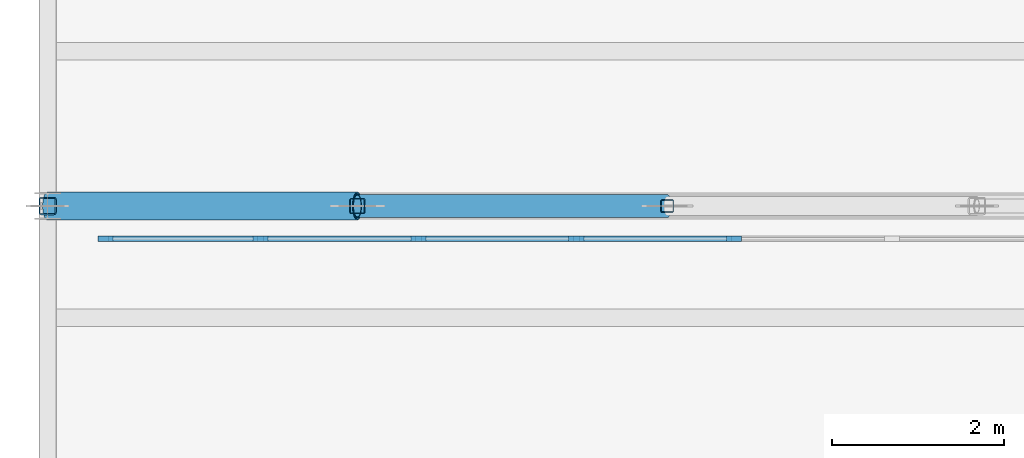
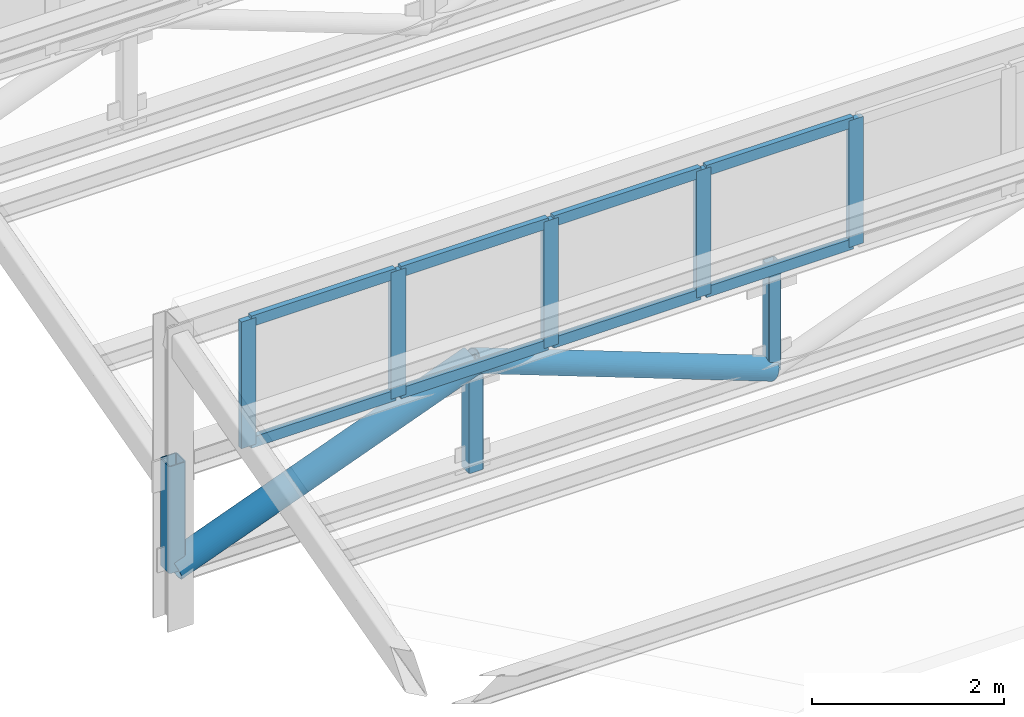
# One storey, part 7 of 98: 18 members, 1 element without a shape of its own.
"""IFC4 building model written with IfcOpenShell, lengths in metres."""

from ifc_helpers import new_model, si_unit, direction, frame, origin, origin_2d, place, context, subcontext, project, spatial, rectangle, hollow_rectangle, hollow_circle, extrude, material, layer, layer_set, material_profile, profile_set, type_object, element, aggregate, save


model = new_model("IFC4")

# Units and contexts
model_context = context("Model", 3, precision=1e-05, world=origin(), true_north=direction((0.0, 1.0)))
body_context = subcontext(model_context, "Body", "Model", "MODEL_VIEW")
ifc_project = project(units=[si_unit("LENGTHUNIT", "METRE"), si_unit("AREAUNIT", "SQUARE_METRE"), si_unit("VOLUMEUNIT", "CUBIC_METRE"), si_unit("PLANEANGLEUNIT", "RADIAN"), si_unit("MASSUNIT", "GRAM", prefix="KILO")], contexts=[model_context])

# Site, building, storey
site_placement = place(None, origin())
site = spatial("IfcSite", under=ifc_project, at=site_placement, CompositionType="ELEMENT")
building_placement = place(site_placement, origin())
building = spatial("IfcBuilding", under=site, at=building_placement, Name="Solenvale Faculty of Natural Sciences", CompositionType="ELEMENT")
storey_placement = place(building_placement, frame((0.0, 0.0, 9.0)))
storey = spatial("IfcBuildingStorey", under=building, at=storey_placement, Name="L02", CompositionType="ELEMENT", Elevation=9.0)

# Curtain wall, members
ifc_material_1 = material(Name="Anodised bronze aluminium", Category="aluminium")
ifc_layer = layer(ifc_material_1, 0.1650390625)
ifc_layer_set = layer_set([ifc_layer], Name="Anodised bronze aluminium")
curtain_wall_type = type_object("IfcCurtainWallType", Name="CW-SAW-CLR", PredefinedType="USERDEFINED", material=ifc_layer_set)
curtain_wall_placement = place(storey_placement, origin())
curtain_wall = element("IfcCurtainWall", 1, at=curtain_wall_placement, inside=storey, type_object=curtain_wall_type, Name="L02 Curtain Wall SAW-V1-CW-1-1", ObjectType="NORTH LIGHT CLERESTORY", PredefinedType="USERDEFINED")
ifc_material_profile_1 = material_profile(ifc_material_1, rectangle(XDim=0.06494140625, YDim=0.175048828125, at=origin_2d()), Name="ALU-MUL-65x175")
ifc_profile_set_1 = profile_set([ifc_material_profile_1], Name="Anodised bronze aluminium")
member_type_1 = type_object("IfcMemberType", Name="CWM-ALU-65x175", PredefinedType="MULLION", material=ifc_profile_set_1)
member_1_placement = place(storey_placement, frame((7.978759765625, 6.820068359375, 2.22998046875), z_axis=(0.0, 0.0, 1.0), x_axis=(0.0, -1.0, 0.0)))
member_1 = element("IfcMember", 2, at=member_1_placement, type_object=member_type_1, Name="CW-05 mullion 12", PredefinedType="MULLION", context=body_context, shape_type="SweptSolid", body=[
    extrude(rectangle(XDim=0.06494140625, YDim=0.175048828125, at=origin_2d()), origin(), (0.0, 0.0, 1.0), 1.610107421875),
])
member_2_placement = place(storey_placement, frame((6.14404296875, 6.820068359375, 2.22998046875), z_axis=(0.0, 0.0, 1.0), x_axis=(0.0, -1.0, 0.0)))
member_2 = element("IfcMember", 3, at=member_2_placement, type_object=member_type_1, Name="CW-05 mullion 13", PredefinedType="MULLION", context=body_context, shape_type="SweptSolid", body=[
    extrude(rectangle(XDim=0.06494140625, YDim=0.175048828125, at=origin_2d()), origin(), (0.0, 0.0, 1.0), 1.610107421875),
])
member_3_placement = place(storey_placement, frame((4.309326171875, 6.820068359375, 2.22998046875), z_axis=(0.0, 0.0, 1.0), x_axis=(0.0, -1.0, 0.0)))
member_3 = element("IfcMember", 4, at=member_3_placement, type_object=member_type_1, Name="CW-05 mullion 14", PredefinedType="MULLION", context=body_context, shape_type="SweptSolid", body=[
    extrude(rectangle(XDim=0.06494140625, YDim=0.175048828125, at=origin_2d()), origin(), (0.0, 0.0, 1.0), 1.610107421875),
])
member_4_placement = place(storey_placement, frame((2.474609375, 6.820068359375, 2.22998046875), z_axis=(0.0, 0.0, 1.0), x_axis=(0.0, -1.0, 0.0)))
member_4 = element("IfcMember", 5, at=member_4_placement, type_object=member_type_1, Name="CW-05 mullion 15", PredefinedType="MULLION", context=body_context, shape_type="SweptSolid", body=[
    extrude(rectangle(XDim=0.06494140625, YDim=0.175048828125, at=origin_2d()), origin(), (0.0, 0.0, 1.0), 1.610107421875),
])
member_5_placement = place(storey_placement, frame((0.672607421875, 6.820068359375, 2.22998046875), z_axis=(0.0, 0.0, 1.0), x_axis=(0.0, -1.0, 0.0)))
member_5 = element("IfcMember", 6, at=member_5_placement, type_object=member_type_1, Name="CW-05 mullion 16", PredefinedType="MULLION", context=body_context, shape_type="SweptSolid", body=[
    extrude(rectangle(XDim=0.06494140625, YDim=0.175048828125, at=origin_2d()), origin(), (0.0, 0.0, 1.0), 1.610107421875),
])
ifc_material_profile_2 = material_profile(ifc_material_1, rectangle(XDim=0.06494140625, YDim=0.135009765625, at=origin_2d()), Name="ALU-TRN-65x135")
ifc_profile_set_2 = profile_set([ifc_material_profile_2], Name="Anodised bronze aluminium")
member_type_2 = type_object("IfcMemberType", Name="CWT-ALU-65x135", PredefinedType="USERDEFINED", material=ifc_profile_set_2)
member_6_placement = place(storey_placement, frame((7.946044921875, 6.820068359375, 2.262451171875), z_axis=(-1.0, 0.0, 0.0), x_axis=(0.0, -1.0, 0.0)))
member_6 = element("IfcMember", 7, at=member_6_placement, type_object=member_type_2, Name="CW-05 transom 12.1", ObjectType="TRANSOM", PredefinedType="USERDEFINED", context=body_context, shape_type="SweptSolid", body=[
    extrude(rectangle(XDim=0.06494140625, YDim=0.135009765625, at=origin_2d()), origin(), (0.0, 0.0, 1.0), 1.76953125),
])
member_7_placement = place(storey_placement, frame((7.946044921875, 6.820068359375, 3.8076171875), z_axis=(-1.0, 0.0, 0.0), x_axis=(0.0, -1.0, 0.0)))
member_7 = element("IfcMember", 8, at=member_7_placement, type_object=member_type_2, Name="CW-05 transom 12.2", ObjectType="TRANSOM", PredefinedType="USERDEFINED", context=body_context, shape_type="SweptSolid", body=[
    extrude(rectangle(XDim=0.06494140625, YDim=0.135009765625, at=origin_2d()), origin(), (0.0, 0.0, 1.0), 1.76953125),
])
member_8_placement = place(storey_placement, frame((6.111572265625, 6.820068359375, 2.262451171875), z_axis=(-1.0, 0.0, 0.0), x_axis=(0.0, -1.0, 0.0)))
member_8 = element("IfcMember", 9, at=member_8_placement, type_object=member_type_2, Name="CW-05 transom 13.1", ObjectType="TRANSOM", PredefinedType="USERDEFINED", context=body_context, shape_type="SweptSolid", body=[
    extrude(rectangle(XDim=0.06494140625, YDim=0.135009765625, at=origin_2d()), origin(), (0.0, 0.0, 1.0), 1.769775390625),
])
member_9_placement = place(storey_placement, frame((6.111572265625, 6.820068359375, 3.8076171875), z_axis=(-1.0, 0.0, 0.0), x_axis=(0.0, -1.0, 0.0)))
member_9 = element("IfcMember", 10, at=member_9_placement, type_object=member_type_2, Name="CW-05 transom 13.2", ObjectType="TRANSOM", PredefinedType="USERDEFINED", context=body_context, shape_type="SweptSolid", body=[
    extrude(rectangle(XDim=0.06494140625, YDim=0.135009765625, at=origin_2d()), origin(), (0.0, 0.0, 1.0), 1.769775390625),
])
member_10_placement = place(storey_placement, frame((4.27685546875, 6.820068359375, 2.262451171875), z_axis=(-1.0, 0.0, 0.0), x_axis=(0.0, -1.0, 0.0)))
member_10 = element("IfcMember", 11, at=member_10_placement, type_object=member_type_2, Name="CW-05 transom 14.1", ObjectType="TRANSOM", PredefinedType="USERDEFINED", context=body_context, shape_type="SweptSolid", body=[
    extrude(rectangle(XDim=0.06494140625, YDim=0.135009765625, at=origin_2d()), origin(), (0.0, 0.0, 1.0), 1.769775390625),
])
member_11_placement = place(storey_placement, frame((4.27685546875, 6.820068359375, 3.8076171875), z_axis=(-1.0, 0.0, 0.0), x_axis=(0.0, -1.0, 0.0)))
member_11 = element("IfcMember", 12, at=member_11_placement, type_object=member_type_2, Name="CW-05 transom 14.2", ObjectType="TRANSOM", PredefinedType="USERDEFINED", context=body_context, shape_type="SweptSolid", body=[
    extrude(rectangle(XDim=0.06494140625, YDim=0.135009765625, at=origin_2d()), origin(), (0.0, 0.0, 1.0), 1.769775390625),
])
member_12_placement = place(storey_placement, frame((2.442138671875, 6.820068359375, 2.262451171875), z_axis=(-1.0, 0.0, 0.0), x_axis=(0.0, -1.0, 0.0)))
member_12 = element("IfcMember", 13, at=member_12_placement, type_object=member_type_2, Name="CW-05 transom 15.1", ObjectType="TRANSOM", PredefinedType="USERDEFINED", context=body_context, shape_type="SweptSolid", body=[
    extrude(rectangle(XDim=0.06494140625, YDim=0.135009765625, at=origin_2d()), origin(), (0.0, 0.0, 1.0), 1.737060546875),
])
member_13_placement = place(storey_placement, frame((2.442138671875, 6.820068359375, 3.8076171875), z_axis=(-1.0, 0.0, 0.0), x_axis=(0.0, -1.0, 0.0)))
member_13 = element("IfcMember", 14, at=member_13_placement, type_object=member_type_2, Name="CW-05 transom 15.2", ObjectType="TRANSOM", PredefinedType="USERDEFINED", context=body_context, shape_type="SweptSolid", body=[
    extrude(rectangle(XDim=0.06494140625, YDim=0.135009765625, at=origin_2d()), origin(), (0.0, 0.0, 1.0), 1.737060546875),
])
aggregate(curtain_wall, [member_1, member_2, member_3, member_4, member_5, member_6, member_7, member_8, member_9, member_10, member_11, member_12, member_13])

# Members
ifc_material_2 = material(Name="Steel S355", Category="steel")
ifc_material_profile_3 = material_profile(ifc_material_2, hollow_circle(Radius=0.136474609375, WallThickness=0.010986328125, at=origin_2d()), Name="HSS273x11")
ifc_profile_set_3 = profile_set([ifc_material_profile_3], Name="Steel S355")
member_type_3 = type_object("IfcMemberType", Name="MB-BRC-CHS273", PredefinedType="BRACE", material=ifc_profile_set_3)
member_14_placement = place(storey_placement, frame((3.60009765625, 7.199951171875, 2.050048828125), z_axis=(0.935458110384, 0.0, -0.353437581075), x_axis=(0.0, 1.0, 0.0)))
element("IfcMember", 15, at=member_14_placement, inside=storey, type_object=member_type_3, Name="V1 Truss 1.1 Diagonal 2", PredefinedType="BRACE", context=body_context, shape_type="SweptSolid", body=[
    extrude(hollow_circle(Radius=0.136474609375, WallThickness=0.010986328125, at=origin_2d()), origin(), (0.0, 0.0, 1.0), 3.84814453125),
])
ifc_material_profile_4 = material_profile(ifc_material_2, hollow_circle(Radius=0.161865234375, WallThickness=0.0126953125, at=origin_2d()), Name="HSS324x13")
ifc_profile_set_4 = profile_set([ifc_material_profile_4], Name="Steel S355")
member_type_4 = type_object("IfcMemberType", Name="MB-BRC-CHS324", PredefinedType="BRACE", material=ifc_profile_set_4)
member_15_placement = place(storey_placement, frame((0.0, 7.199951171875, 0.68994140625), z_axis=(0.935466034784, 0.0, 0.353416606522), x_axis=(0.0, 1.0, 0.0)))
element("IfcMember", 16, at=member_15_placement, inside=storey, type_object=member_type_4, Name="V1 Truss 1.1 Diagonal 1", PredefinedType="BRACE", context=body_context, shape_type="SweptSolid", body=[
    extrude(hollow_circle(Radius=0.161865234375, WallThickness=0.0126953125, at=origin_2d()), origin(), (0.0, 0.0, 1.0), 3.848388671875),
])
ifc_material_profile_5 = material_profile(ifc_material_2, hollow_rectangle(XDim=0.152099609375, YDim=0.152099609375, WallThickness=0.009521484375, InnerFilletRadius=0.009521484375, OuterFilletRadius=0.01904296875, at=origin_2d()), Name="HSS152x152x9.5")
ifc_profile_set_5 = profile_set([ifc_material_profile_5], Name="Steel S355")
member_type_5 = type_object("IfcMemberType", Name="MB-STR-HSS152", PredefinedType="STRUT", material=ifc_profile_set_5)
member_16_placement = place(storey_placement, frame((7.199951171875, 7.199951171875, 0.68994140625), z_axis=(0.0, 0.0, 1.0), x_axis=(1.0, 0.0, 0.0)))
element("IfcMember", 17, at=member_16_placement, inside=storey, type_object=member_type_5, Name="V1 Truss 1.1 Strut 2", PredefinedType="STRUT", context=body_context, shape_type="SweptSolid", body=[
    extrude(hollow_rectangle(XDim=0.152099609375, YDim=0.152099609375, WallThickness=0.009521484375, InnerFilletRadius=0.009521484375, OuterFilletRadius=0.01904296875, at=origin_2d()), origin(), (0.0, 0.0, 1.0), 1.360107421875),
])
ifc_material_profile_6 = material_profile(ifc_material_2, hollow_rectangle(XDim=0.177978515625, YDim=0.177978515625, WallThickness=0.009521484375, InnerFilletRadius=0.009521484375, OuterFilletRadius=0.01904296875, at=origin_2d()), Name="HSS178x178x9.5")
ifc_profile_set_6 = profile_set([ifc_material_profile_6], Name="Steel S355")
member_type_6 = type_object("IfcMemberType", Name="MB-STR-HSS178", PredefinedType="STRUT", material=ifc_profile_set_6)
member_17_placement = place(storey_placement, frame((3.60009765625, 7.199951171875, 0.68994140625), z_axis=(0.0, 0.0, 1.0), x_axis=(1.0, 0.0, 0.0)))
element("IfcMember", 18, at=member_17_placement, inside=storey, type_object=member_type_6, Name="V1 Truss 1.1 Strut 1", PredefinedType="STRUT", context=body_context, shape_type="SweptSolid", body=[
    extrude(hollow_rectangle(XDim=0.177978515625, YDim=0.177978515625, WallThickness=0.009521484375, InnerFilletRadius=0.009521484375, OuterFilletRadius=0.01904296875, at=origin_2d()), origin(), (0.0, 0.0, 1.0), 1.360107421875),
])
ifc_material_profile_7 = material_profile(ifc_material_2, hollow_rectangle(XDim=0.202880859375, YDim=0.202880859375, WallThickness=0.0126953125, InnerFilletRadius=0.0126953125, OuterFilletRadius=0.025390625, at=origin_2d()), Name="HSS203x203x13")
ifc_profile_set_7 = profile_set([ifc_material_profile_7], Name="Steel S355")
member_type_7 = type_object("IfcMemberType", Name="MB-STR-HSS203", PredefinedType="STRUT", material=ifc_profile_set_7)
member_18_placement = place(storey_placement, frame((0.0, 7.199951171875, 0.68994140625), z_axis=(0.0, 0.0, 1.0), x_axis=(1.0, 0.0, 0.0)))
element("IfcMember", 19, at=member_18_placement, inside=storey, type_object=member_type_7, Name="V1 Truss 1.1 Strut 0", PredefinedType="STRUT", context=body_context, shape_type="SweptSolid", body=[
    extrude(hollow_rectangle(XDim=0.202880859375, YDim=0.202880859375, WallThickness=0.0126953125, InnerFilletRadius=0.0126953125, OuterFilletRadius=0.025390625, at=origin_2d()), origin(), (0.0, 0.0, 1.0), 1.360107421875),
])

save(model, "model.ifc")
